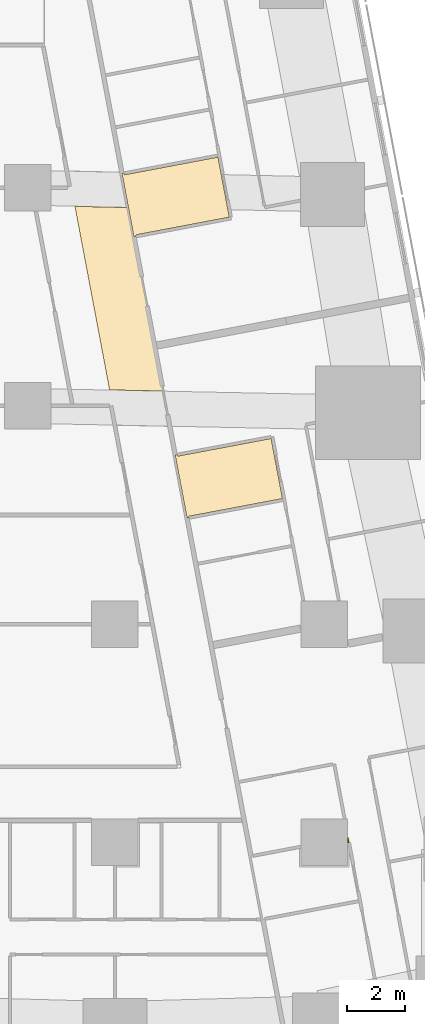
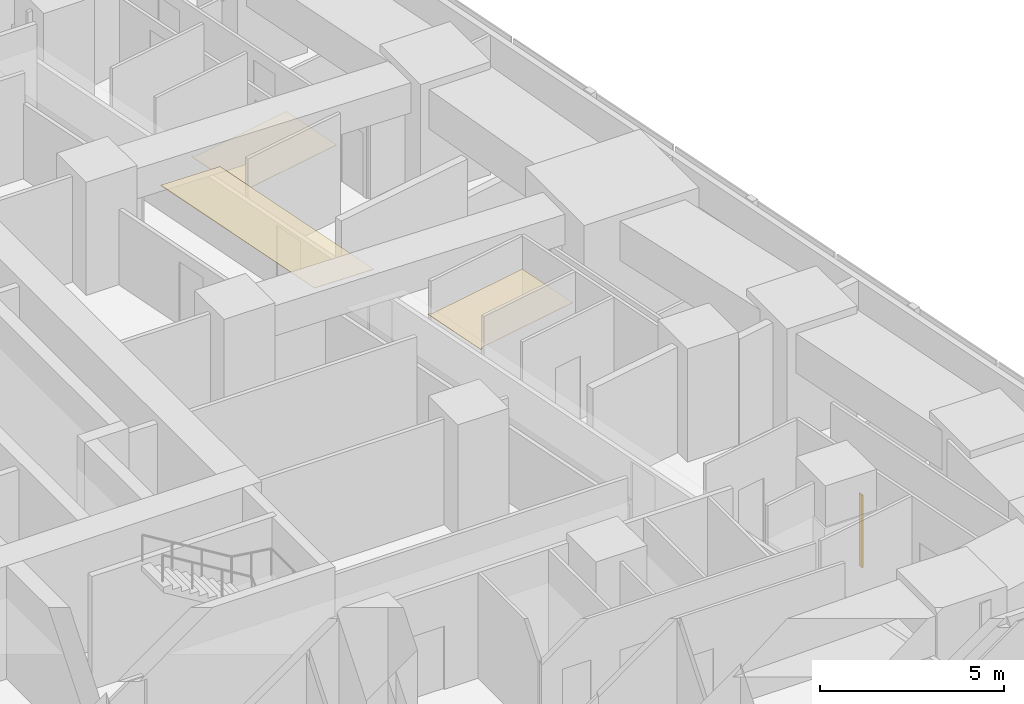
# One storey, part 14 of 15: 4 coverings.
"""IFC4 building model written with IfcOpenShell, lengths in metres."""

from ifc_helpers import new_model, si_unit, direction, frame, origin, place, context, subcontext, project, spatial, polyline, outline, extrude, material, layer, layer_set, type_object, element, save


model = new_model("IFC4")

# Units and contexts
model_context = context("Model", 3, precision=1e-05, world=origin(), true_north=direction((0.0, 1.0)))
body_context = subcontext(model_context, "Body", "Model", "MODEL_VIEW")
ifc_project = project(units=[si_unit("LENGTHUNIT", "METRE"), si_unit("AREAUNIT", "SQUARE_METRE"), si_unit("VOLUMEUNIT", "CUBIC_METRE"), si_unit("PLANEANGLEUNIT", "RADIAN"), si_unit("MASSUNIT", "GRAM", prefix="KILO")], contexts=[model_context])

# Site, building, storey
site_placement = place(None, origin())
site = spatial("IfcSite", under=ifc_project, at=site_placement, CompositionType="ELEMENT")
building_placement = place(site_placement, origin())
building = spatial("IfcBuilding", under=site, at=building_placement, Name="Sheger Commons Tower", CompositionType="ELEMENT")
storey_placement = place(building_placement, frame((0.0, 0.0, 81.64990234375)))
storey = spatial("IfcBuildingStorey", under=building, at=storey_placement, Name="L20", CompositionType="ELEMENT", Elevation=81.64990234375)

# Coverings
ifc_material_1 = material(Name="Moisture-resistant gypsum plasterboard 15 mm on a suspended galvanised steel grid", Category="steel")
ifc_layer_1 = layer(ifc_material_1, 0.014892578125)
ifc_layer_set_1 = layer_set([ifc_layer_1], Name="MOISTURE-RESISTANT CEILING 15")
covering_type_1 = type_object("IfcCoveringType", Name="MOISTURE-RESISTANT CEILING 15", PredefinedType="CEILING", material=ifc_layer_set_1)
covering_1_placement = place(storey_placement, frame((0.0, 0.0, 2.400146484375)))
element("IfcCovering", 1, at=covering_1_placement, inside=storey, type_object=covering_type_1, Name="L20-07.B1 ceiling", PredefinedType="CEILING", context=body_context, shape_type="SweptSolid", body=[
    extrude(outline(polyline([(36.656982421875, 28.31005859375), (36.72607421875, 28.322998046875), (36.716064453125, 28.376953125), (39.93310546875, 28.986083984375), (39.54296875, 31.049072265625), (36.325927734375, 30.44091796875), (36.31591796875, 30.4951171875), (36.24609375, 30.48193359375), (36.656982421875, 28.31005859375)])), origin(), (0.0, 0.0, 1.0), 0.014892578125),
])
covering_2_placement = place(storey_placement, frame((0.0, 0.0, 2.400146484375)))
element("IfcCovering", 2, at=covering_2_placement, inside=storey, type_object=covering_type_1, Name="L20-08.B1 ceiling", PredefinedType="CEILING", context=body_context, shape_type="SweptSolid", body=[
    extrude(outline(polyline([(38.48291015625, 18.639892578125), (38.552001953125, 18.653076171875), (38.5419921875, 18.7060546875), (41.760009765625, 19.31396484375), (41.3701171875, 21.3779296875), (38.152099609375, 20.77001953125), (38.14208984375, 20.823974609375), (38.072998046875, 20.81103515625), (38.48291015625, 18.639892578125)])), origin(), (0.0, 0.0, 1.0), 0.014892578125),
])
ifc_material_2 = material(Name="Gypsum plasterboard 15 mm on a suspended steel grid", Category="steel")
ifc_layer_2 = layer(ifc_material_2, 0.014892578125)
ifc_layer_set_2 = layer_set([ifc_layer_2], Name="SUSPENDED CEILING 15")
covering_type_2 = type_object("IfcCoveringType", Name="SUSPENDED CEILING 15", PredefinedType="CEILING", material=ifc_layer_set_2)
covering_3_placement = place(storey_placement, frame((0.0, 0.0, 2.7001953125)))
element("IfcCovering", 3, at=covering_3_placement, inside=storey, type_object=covering_type_2, Name="L20-CO ceiling", PredefinedType="CEILING", context=body_context, shape_type="SweptSolid", body=[
    extrude(outline(polyline([(37.657958984375, 23.010986328125), (36.466064453125, 29.31591796875), (34.626953125, 29.35791015625), (35.819091796875, 23.048095703125), (37.657958984375, 23.010986328125)])), origin(), (0.0, 0.0, 1.0), 0.014892578125),
])
ifc_material_3 = material(Name="Moisture-resistant gypsum board 12.5 mm on 25 mm treated timber battens, tanked and tiled", Category="wood")
ifc_layer_3 = layer(ifc_material_3, 0.050048828125)
ifc_layer_set_3 = layer_set([ifc_layer_3], Name="WET-ROOM COLUMN LINING")
covering_type_3 = type_object("IfcCoveringType", Name="WET-ROOM COLUMN LINING", PredefinedType="CLADDING", material=ifc_layer_set_3)
covering_4_placement = place(storey_placement, origin())
element("IfcCovering", 4, at=covering_4_placement, inside=storey, type_object=covering_type_3, Name="Bathroom column lining C9 L20", PredefinedType="CLADDING", context=body_context, shape_type="SweptSolid", body=[
    extrude(outline(polyline([(44.0, 7.652099609375), (44.01806640625, 7.655029296875), (44.049072265625, 7.489990234375), (44.0, 7.48095703125), (44.0, 7.652099609375)])), origin(), (0.0, 0.0, 1.0), 2.400146484375),
])

save(model, "model.ifc")
